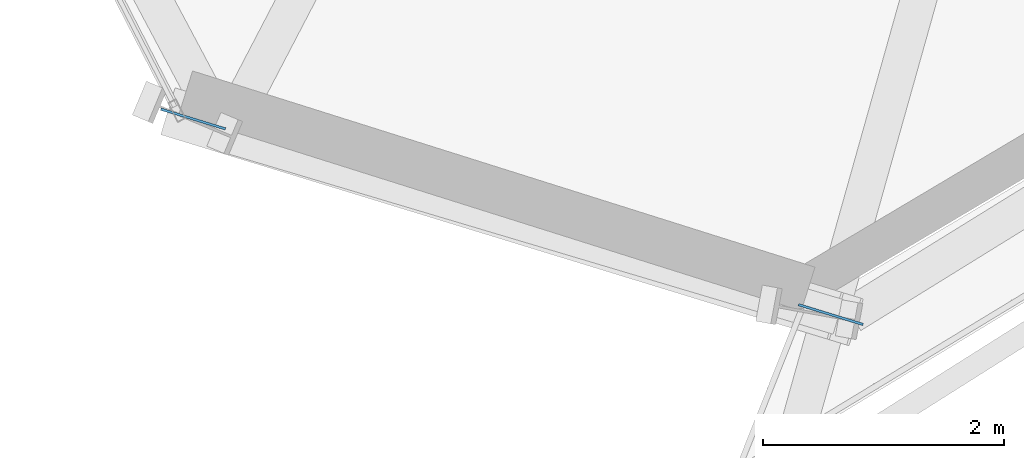
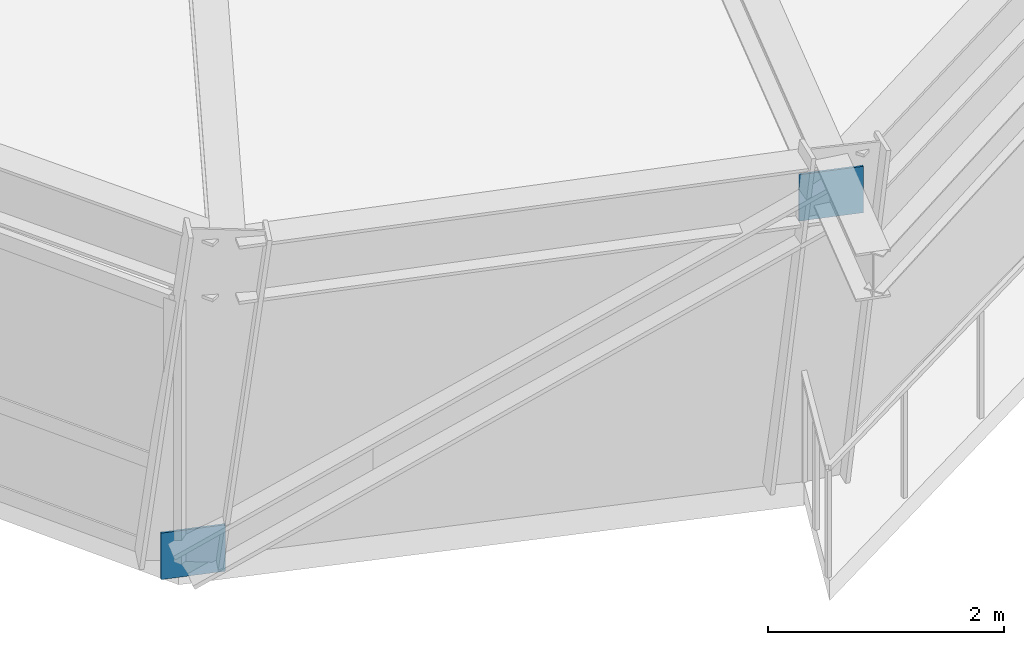
# One storey, part 9 of 19: 2 plates.
"""IFC4 building model written with IfcOpenShell, lengths in metres."""

from ifc_helpers import new_model, si_unit, direction, frame, origin, origin_2d, place, context, subcontext, project, spatial, rectangle, extrude, source, transform, mapped, material, type_object, element, save


model = new_model("IFC4")

# Units and contexts
model_context = context("Model", 3, precision=1e-05, world=origin(), true_north=direction((0.0, 1.0)))
body_context = subcontext(model_context, "Body", "Model", "MODEL_VIEW")
ifc_project = project(units=[si_unit("LENGTHUNIT", "METRE"), si_unit("AREAUNIT", "SQUARE_METRE"), si_unit("VOLUMEUNIT", "CUBIC_METRE"), si_unit("PLANEANGLEUNIT", "RADIAN"), si_unit("MASSUNIT", "GRAM", prefix="KILO")], contexts=[model_context])

# Site, building, storey
site_placement = place(None, origin())
site = spatial("IfcSite", under=ifc_project, at=site_placement, CompositionType="ELEMENT")
building_placement = place(site_placement, origin())
building = spatial("IfcBuilding", under=site, at=building_placement, Name="Olszyna Solenne Hotel", CompositionType="ELEMENT")
storey_placement = place(building_placement, frame((0.0, 0.0, 102.14990234375)))
storey = spatial("IfcBuildingStorey", under=building, at=storey_placement, Name="L26", CompositionType="ELEMENT", Elevation=102.14990234375)

# Plates
ifc_material = material(Name="Steel S355J2", Category="steel")
plate_type = type_object("IfcPlateType", Name="GP-ND2", PredefinedType="USERDEFINED", material=ifc_material)
shared_shape = source(origin(), body_context, "Body", "SweptSolid", [
    extrude(rectangle(XDim=0.56005859375, YDim=0.02001953125, at=origin_2d()), origin(), (0.0, 0.0, 1.0), 0.47998046875),
])
for number, where, z_axis, x_axis, name in (
    (1, (26.080078125, 4.377197265625, -0.166015625), (0.0, 0.0, 1.0), (0.956049249417, -0.293206126622, 0.0), "Brace end connection gusset plate GP-ND2 EP-BR-L26-3-1"),
    (2, (31.3720703125, 2.754150390625, 2.666259765625), (0.0, 0.0, 1.0), (0.956049249417, -0.293206126622, 0.0), "Brace end connection gusset plate GP-ND2 EP-BR-L26-3-2"),
):
    element("IfcPlate", number, at=place(storey_placement, frame(where, z_axis=z_axis, x_axis=x_axis)), inside=storey, type_object=plate_type, Name=name, ObjectType="GUSSET_PLATE", PredefinedType="USERDEFINED", context=body_context, shape_type="MappedRepresentation", body=[
        mapped(shared_shape, transform((0.0, 0.0, 0.0), x_axis=(1.0, 0.0, 0.0), y_axis=(0.0, 1.0, 0.0), z_axis=(0.0, 0.0, 1.0), scale=1.0)),
    ])

save(model, "model.ifc")
